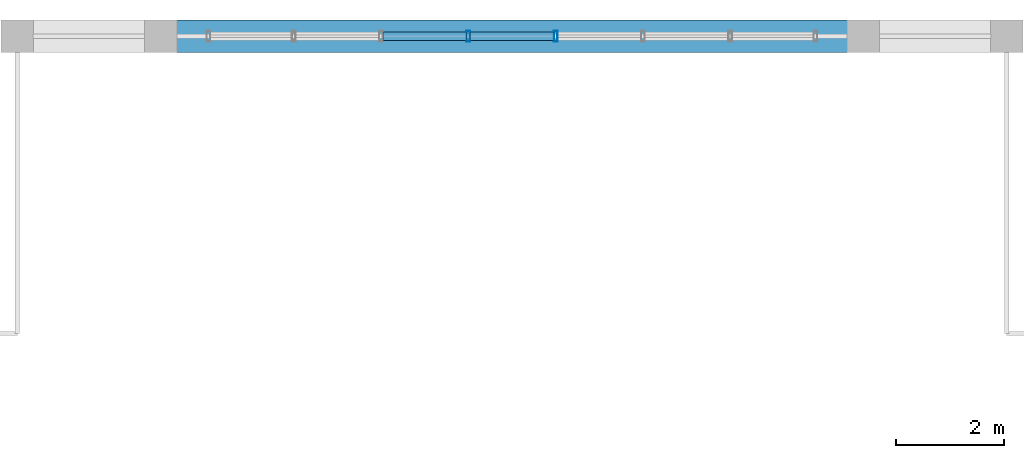
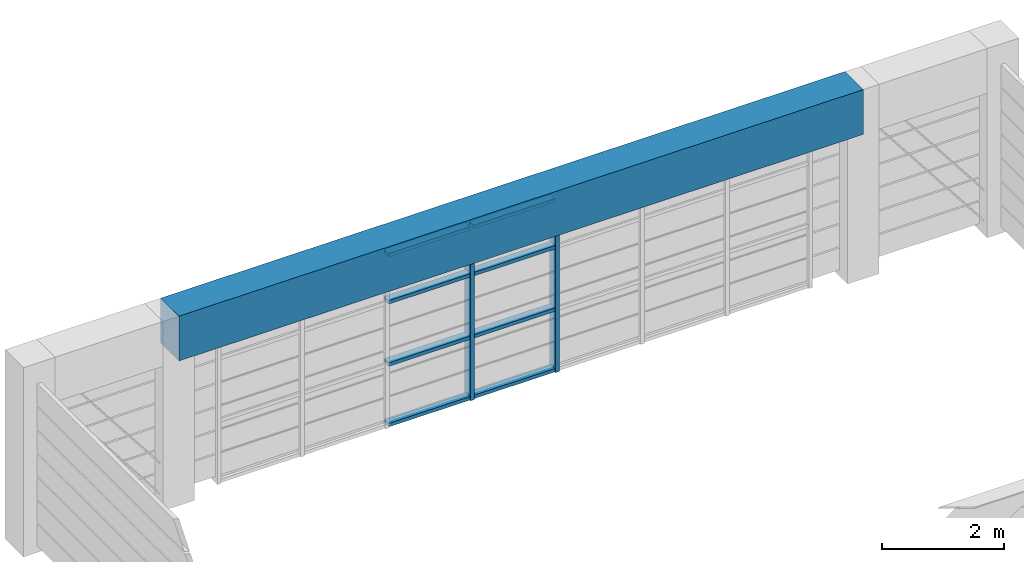
# One storey, part 13 of 21: 10 members, 1 beam, 1 element without a shape of its own.
"""IFC4 building model written with IfcOpenShell, lengths in metres."""

from ifc_helpers import new_model, si_unit, direction, frame, origin, origin_2d, place, context, subcontext, project, spatial, rectangle, hollow_rectangle, extrude, source, transform, mapped, material, layer, layer_set, material_profile, profile_set, type_object, element, aggregate, save


model = new_model("IFC4")

# Units and contexts
model_context = context("Model", 3, precision=1e-05, world=origin(), true_north=direction((0.0, 1.0)))
body_context = subcontext(model_context, "Body", "Model", "MODEL_VIEW")
ifc_project = project(units=[si_unit("LENGTHUNIT", "METRE"), si_unit("AREAUNIT", "SQUARE_METRE"), si_unit("VOLUMEUNIT", "CUBIC_METRE"), si_unit("PLANEANGLEUNIT", "RADIAN"), si_unit("MASSUNIT", "GRAM", prefix="KILO")], contexts=[model_context])

# Site, building, storey
site_placement = place(None, origin())
site = spatial("IfcSite", under=ifc_project, at=site_placement, CompositionType="ELEMENT")
building_placement = place(site_placement, origin())
building = spatial("IfcBuilding", under=site, at=building_placement, Name="Saelheon Loggia Tower", CompositionType="ELEMENT")
storey_placement = place(building_placement, frame((0.0, 0.0, 267.39990234375)))
storey = spatial("IfcBuildingStorey", under=building, at=storey_placement, Name="CR5", CompositionType="ELEMENT", Elevation=267.39990234375)

# Beam
ifc_material_1 = material(Name="Precast Concrete C45/55", Category="concrete")
ifc_material_profile_1 = material_profile(ifc_material_1, rectangle(XDim=0.60009765625, YDim=0.89990234375, at=origin_2d()), Name="RC-600x900")
ifc_profile_set_1 = profile_set([ifc_material_profile_1], Name="Precast Concrete C45/55")
beam_type = type_object("IfcBeamType", Name="CrownFrame_Ring_RC600x900", PredefinedType="BEAM", material=ifc_profile_set_1)
shared_shape_1 = source(origin(), body_context, "Body", "SweptSolid", [
    extrude(rectangle(XDim=0.60009765625, YDim=0.89990234375, at=origin_2d()), origin(), (0.0, 0.0, 1.0), 13.0),
])
beam_placement = place(storey_placement, frame((44.5, 47.64990234375, 3.35009765625), z_axis=(-1.0, 0.0, 0.0), x_axis=(0.0, -1.0, 0.0)))
element("IfcBeam", 1, at=beam_placement, inside=storey, type_object=beam_type, Name="CR5 CROWN FRAME Sill Beam 10", PredefinedType="BEAM", context=body_context, shape_type="MappedRepresentation", body=[
    mapped(shared_shape_1, transform((0.0, 0.0, 0.0), scale=1.0)),
])

# Curtain wall, members
ifc_material_2 = material(Name="Bronze-Anodised Aluminium and Fritted Ceramic Screen", Category="aluminium")
ifc_layer = layer(ifc_material_2, 0.219970703125)
ifc_layer_set = layer_set([ifc_layer], Name="Bronze-Anodised Aluminium and Fritted Ceramic Screen")
curtain_wall_type = type_object("IfcCurtainWallType", Name="CW_CrownScreen", PredefinedType="NOTDEFINED", material=ifc_layer_set)
curtain_wall_placement = place(storey_placement, origin())
curtain_wall = element("IfcCurtainWall", 2, at=curtain_wall_placement, inside=storey, type_object=curtain_wall_type, Name="CR5 Crown Central Screen Curtain Wall 6", PredefinedType="NOTDEFINED")
ifc_material_3 = material(Name="Bronze-Anodised Aluminium 6063-T6", Category="aluminium")
ifc_material_profile_2 = material_profile(ifc_material_3, hollow_rectangle(XDim=0.070068359375, YDim=0.199951171875, WallThickness=0.0048828125, at=origin_2d()), Name="RHS-200x70x5")
ifc_profile_set_2 = profile_set([ifc_material_profile_2], Name="Bronze-Anodised Aluminium 6063-T6")
member_type_1 = type_object("IfcMemberType", Name="CW_CrownScreen_Mullion", PredefinedType="MULLION", material=ifc_profile_set_2)
shared_shape_2 = source(origin(), body_context, "Body", "SweptSolid", [
    extrude(hollow_rectangle(XDim=0.070068359375, YDim=0.199951171875, WallThickness=0.0048828125, at=origin_2d()), origin(), (0.0, 0.0, 1.0), 3.47998046875),
])
member_1_placement = place(storey_placement, frame((37.19287109375, 47.64990234375, 0.0), z_axis=(0.0, 0.0, 1.0), x_axis=(1.0, 0.0, 0.0)))
member_1 = element("IfcMember", 3, at=member_1_placement, type_object=member_type_1, Name="CW6 mullion 4", PredefinedType="MULLION", context=body_context, shape_type="MappedRepresentation", body=[
    mapped(shared_shape_2, transform((0.0, 0.0, 0.0), scale=1.0)),
])
member_2_placement = place(storey_placement, frame((38.80712890625, 47.64990234375, 0.0), z_axis=(0.0, 0.0, 1.0), x_axis=(1.0, 0.0, 0.0)))
member_2 = element("IfcMember", 4, at=member_2_placement, type_object=member_type_1, Name="CW6 mullion 5", PredefinedType="MULLION", context=body_context, shape_type="MappedRepresentation", body=[
    mapped(shared_shape_2, transform((0.0, 0.0, 0.0), scale=1.0)),
])
ifc_material_profile_3 = material_profile(ifc_material_3, hollow_rectangle(XDim=0.070068359375, YDim=0.14990234375, WallThickness=0.0048828125, at=origin_2d()), Name="RHS-150x70x5")
ifc_profile_set_3 = profile_set([ifc_material_profile_3], Name="Bronze-Anodised Aluminium 6063-T6")
member_type_2 = type_object("IfcMemberType", Name="CW_CrownScreen_Transom", PredefinedType="USERDEFINED", material=ifc_profile_set_3)
shared_shape_3 = source(origin(), body_context, "Body", "SweptSolid", [
    extrude(hollow_rectangle(XDim=0.070068359375, YDim=0.14990234375, WallThickness=0.0048828125, at=origin_2d()), origin(), (0.0, 0.0, 1.0), 1.54443359375),
])
member_3_placement = place(storey_placement, frame((35.613525390625, 47.64990234375, 0.03515625), z_axis=(1.0, 0.0, 0.0), x_axis=(0.0, 0.0, 1.0)))
member_3 = element("IfcMember", 5, at=member_3_placement, type_object=member_type_2, Name="CW6 transom 3.1", ObjectType="TRANSOM", PredefinedType="USERDEFINED", context=body_context, shape_type="MappedRepresentation", body=[
    mapped(shared_shape_3, transform((0.0, 0.0, 0.0), scale=1.0)),
])
member_4_placement = place(storey_placement, frame((35.613525390625, 47.64990234375, 1.25), z_axis=(1.0, 0.0, 0.0), x_axis=(0.0, 0.0, 1.0)))
member_4 = element("IfcMember", 6, at=member_4_placement, type_object=member_type_2, Name="CW6 transom 3.2", ObjectType="TRANSOM", PredefinedType="USERDEFINED", context=body_context, shape_type="MappedRepresentation", body=[
    mapped(shared_shape_3, transform((0.0, 0.0, 0.0), scale=1.0)),
])
member_5_placement = place(storey_placement, frame((35.613525390625, 47.64990234375, 2.5), z_axis=(1.0, 0.0, 0.0), x_axis=(0.0, 0.0, 1.0)))
member_5 = element("IfcMember", 7, at=member_5_placement, type_object=member_type_2, Name="CW6 transom 3.3", ObjectType="TRANSOM", PredefinedType="USERDEFINED", context=body_context, shape_type="MappedRepresentation", body=[
    mapped(shared_shape_3, transform((0.0, 0.0, 0.0), scale=1.0)),
])
member_6_placement = place(storey_placement, frame((35.613525390625, 47.64990234375, 3.445068359375), z_axis=(1.0, 0.0, 0.0), x_axis=(0.0, 0.0, 1.0)))
member_6 = element("IfcMember", 8, at=member_6_placement, type_object=member_type_2, Name="CW6 transom 3.4", ObjectType="TRANSOM", PredefinedType="USERDEFINED", context=body_context, shape_type="MappedRepresentation", body=[
    mapped(shared_shape_3, transform((0.0, 0.0, 0.0), scale=1.0)),
])
member_7_placement = place(storey_placement, frame((37.227783203125, 47.64990234375, 0.03515625), z_axis=(1.0, 0.0, 0.0), x_axis=(0.0, 0.0, 1.0)))
member_7 = element("IfcMember", 9, at=member_7_placement, type_object=member_type_2, Name="CW6 transom 4.1", ObjectType="TRANSOM", PredefinedType="USERDEFINED", context=body_context, shape_type="MappedRepresentation", body=[
    mapped(shared_shape_3, transform((0.0, 0.0, 0.0), scale=1.0)),
])
member_8_placement = place(storey_placement, frame((37.227783203125, 47.64990234375, 1.25), z_axis=(1.0, 0.0, 0.0), x_axis=(0.0, 0.0, 1.0)))
member_8 = element("IfcMember", 10, at=member_8_placement, type_object=member_type_2, Name="CW6 transom 4.2", ObjectType="TRANSOM", PredefinedType="USERDEFINED", context=body_context, shape_type="MappedRepresentation", body=[
    mapped(shared_shape_3, transform((0.0, 0.0, 0.0), scale=1.0)),
])
member_9_placement = place(storey_placement, frame((37.227783203125, 47.64990234375, 2.5), z_axis=(1.0, 0.0, 0.0), x_axis=(0.0, 0.0, 1.0)))
member_9 = element("IfcMember", 11, at=member_9_placement, type_object=member_type_2, Name="CW6 transom 4.3", ObjectType="TRANSOM", PredefinedType="USERDEFINED", context=body_context, shape_type="MappedRepresentation", body=[
    mapped(shared_shape_3, transform((0.0, 0.0, 0.0), scale=1.0)),
])
member_10_placement = place(storey_placement, frame((37.227783203125, 47.64990234375, 3.445068359375), z_axis=(1.0, 0.0, 0.0), x_axis=(0.0, 0.0, 1.0)))
member_10 = element("IfcMember", 12, at=member_10_placement, type_object=member_type_2, Name="CW6 transom 4.4", ObjectType="TRANSOM", PredefinedType="USERDEFINED", context=body_context, shape_type="MappedRepresentation", body=[
    mapped(shared_shape_3, transform((0.0, 0.0, 0.0), scale=1.0)),
])
aggregate(curtain_wall, [member_1, member_2, member_3, member_4, member_5, member_6, member_7, member_8, member_9, member_10])

save(model, "model.ifc")
